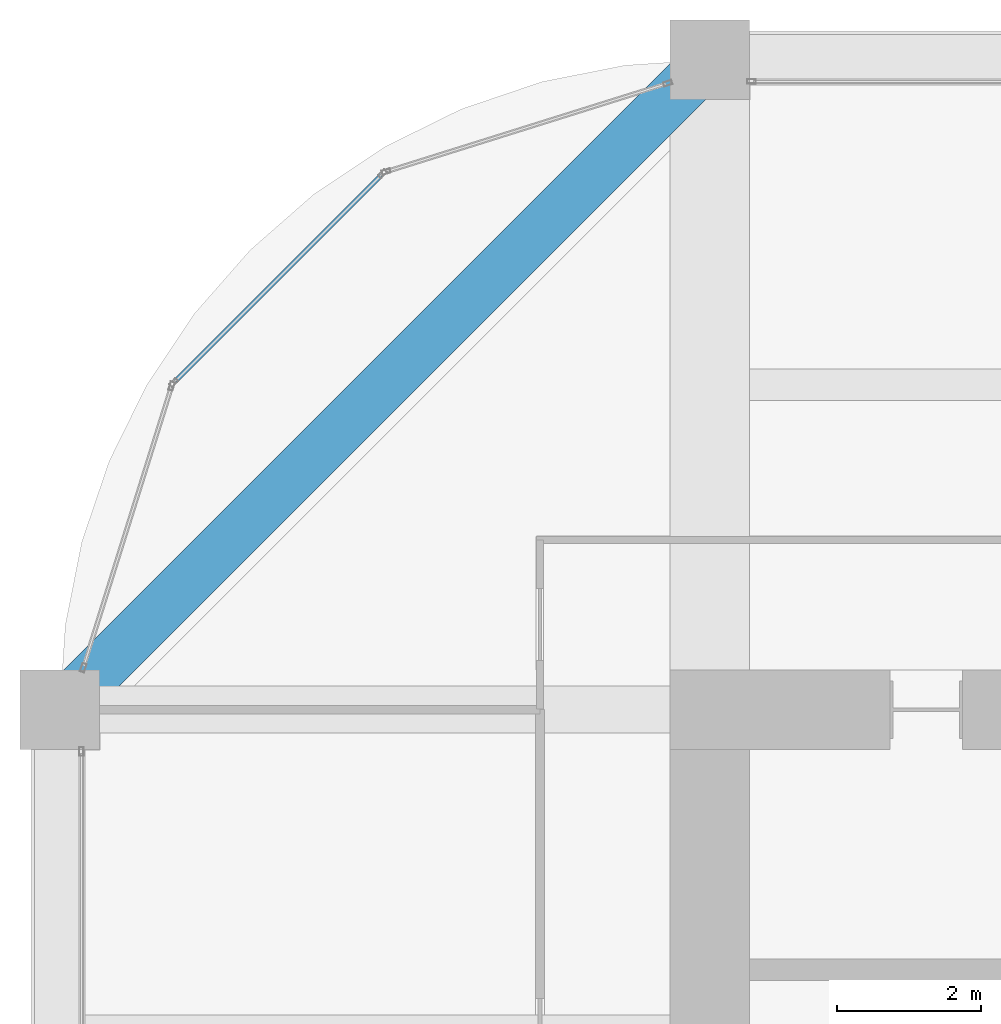
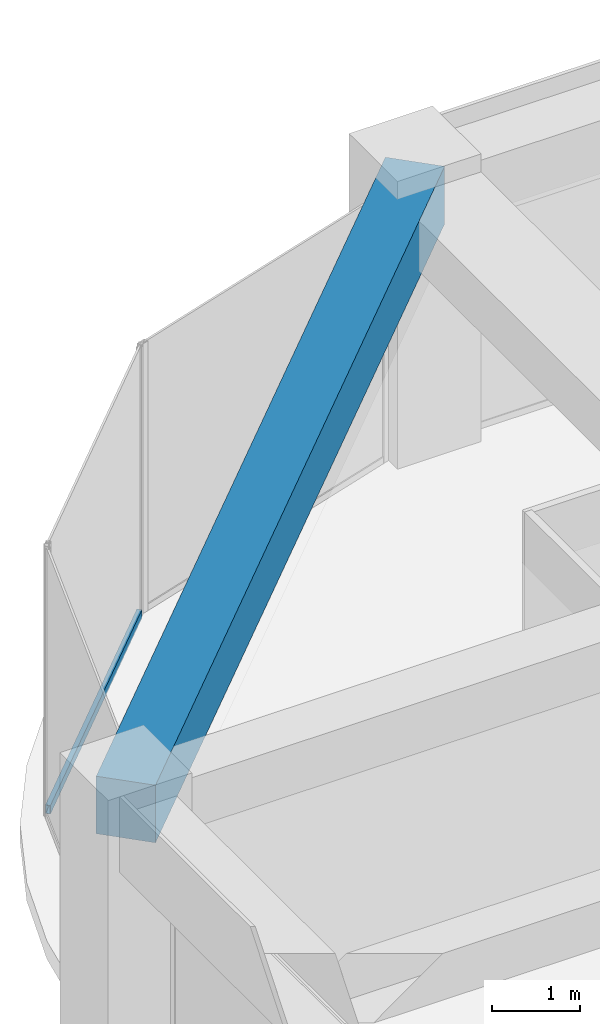
# One storey, part 29 of 44: 1 beam, 1 member, 1 element without a shape of its own.
"""IFC4 building model written with IfcOpenShell, lengths in metres."""

from ifc_helpers import new_model, si_unit, direction, frame, origin, origin_2d, place, context, subcontext, project, spatial, rectangle, hollow_rectangle, extrude, material, material_profile, profile_set, type_object, element, aggregate, save


model = new_model("IFC4")

# Units and contexts
model_context = context("Model", 3, precision=1e-05, world=origin(), true_north=direction((0.0, 1.0)))
body_context = subcontext(model_context, "Body", "Model", "MODEL_VIEW")
ifc_project = project(units=[si_unit("LENGTHUNIT", "METRE"), si_unit("AREAUNIT", "SQUARE_METRE"), si_unit("VOLUMEUNIT", "CUBIC_METRE"), si_unit("PLANEANGLEUNIT", "RADIAN"), si_unit("MASSUNIT", "GRAM", prefix="KILO")], contexts=[model_context])

# Site, building, storey
site_placement = place(None, origin())
site = spatial("IfcSite", under=ifc_project, at=site_placement, CompositionType="ELEMENT")
building_placement = place(site_placement, origin())
building = spatial("IfcBuilding", under=site, at=building_placement, Name="Zorevar Civic Tower", CompositionType="ELEMENT")
storey_placement = place(building_placement, frame((0.0, 0.0, 295.39990234375)))
storey = spatial("IfcBuildingStorey", under=building, at=storey_placement, Name="L72", CompositionType="ELEMENT", Elevation=295.39990234375)

# Curtain wall, member
ifc_material_1 = material(Name="Dark grey solar-control glass in black aluminium frame", Category="aluminium")
curtain_wall_type = type_object("IfcCurtainWallType", Name="Curtain wall CW5 top zone", PredefinedType="NOTDEFINED", material=ifc_material_1)
curtain_wall_placement = place(storey_placement, origin())
curtain_wall = element("IfcCurtainWall", 1, at=curtain_wall_placement, inside=storey, type_object=curtain_wall_type, Name="CW5 L72", PredefinedType="NOTDEFINED")
ifc_material_2 = material(Name="Aluminium, black anodised", Category="aluminium")
ifc_material_profile_1 = material_profile(ifc_material_2, hollow_rectangle(XDim=0.06005859375, YDim=0.1201171875, WallThickness=0.0029296875, at=origin_2d()), Name="AL 120x60x3")
ifc_profile_set_1 = profile_set([ifc_material_profile_1], Name="Aluminium, black anodised")
member_type = type_object("IfcMemberType", Name="CW5 transom AL 120x60x3", PredefinedType="USERDEFINED", material=ifc_profile_set_1)
member_placement = place(storey_placement, frame((13.44970703125, 43.3984375, 0.030029296875), z_axis=(-0.707106781187, -0.707106781187, 0.0), x_axis=(0.707106781187, -0.707106781187, 0.0)))
member = element("IfcMember", 2, at=member_placement, type_object=member_type, Name="CW5 sill transom", ObjectType="TRANSOM", PredefinedType="USERDEFINED", context=body_context, shape_type="SweptSolid", body=[
    extrude(hollow_rectangle(XDim=0.06005859375, YDim=0.1201171875, WallThickness=0.0029296875, at=origin_2d()), origin(), (0.0, 0.0, 1.0), 4.02783203125),
])
aggregate(curtain_wall, [member])

# Beam
ifc_material_3 = material(Name="Concrete C50/60", Category="concrete")
ifc_material_profile_2 = material_profile(ifc_material_3, rectangle(XDim=0.699951171875, YDim=0.800048828125, at=origin_2d()), Name="RC 700x800")
ifc_profile_set_2 = profile_set([ifc_material_profile_2], Name="Concrete C50/60")
beam_type = type_object("IfcBeamType", Name="Edge beam RC 700x800", PredefinedType="SPANDREL", material=ifc_profile_set_2)
beam_placement = place(storey_placement, frame((18.0, 45.0, 3.35009765625), z_axis=(-0.707106781187, -0.707106781187, 0.0), x_axis=(0.707106781187, -0.707106781187, 0.0)))
element("IfcBeam", 3, at=beam_placement, inside=storey, type_object=beam_type, Name="Corner edge beam L73", PredefinedType="SPANDREL", context=body_context, shape_type="SweptSolid", body=[
    extrude(rectangle(XDim=0.699951171875, YDim=0.800048828125, at=origin_2d()), origin(), (0.0, 0.0, 1.0), 12.72802734375),
])

save(model, "model.ifc")
